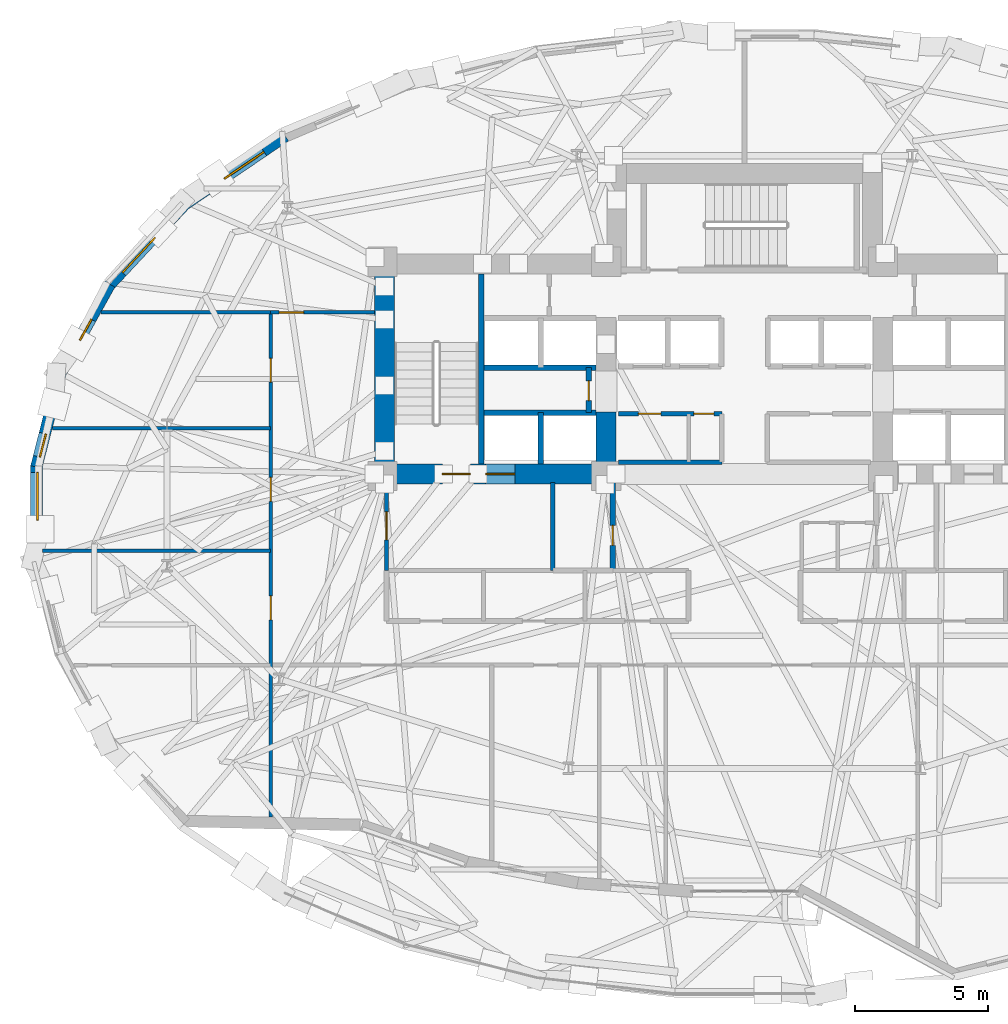
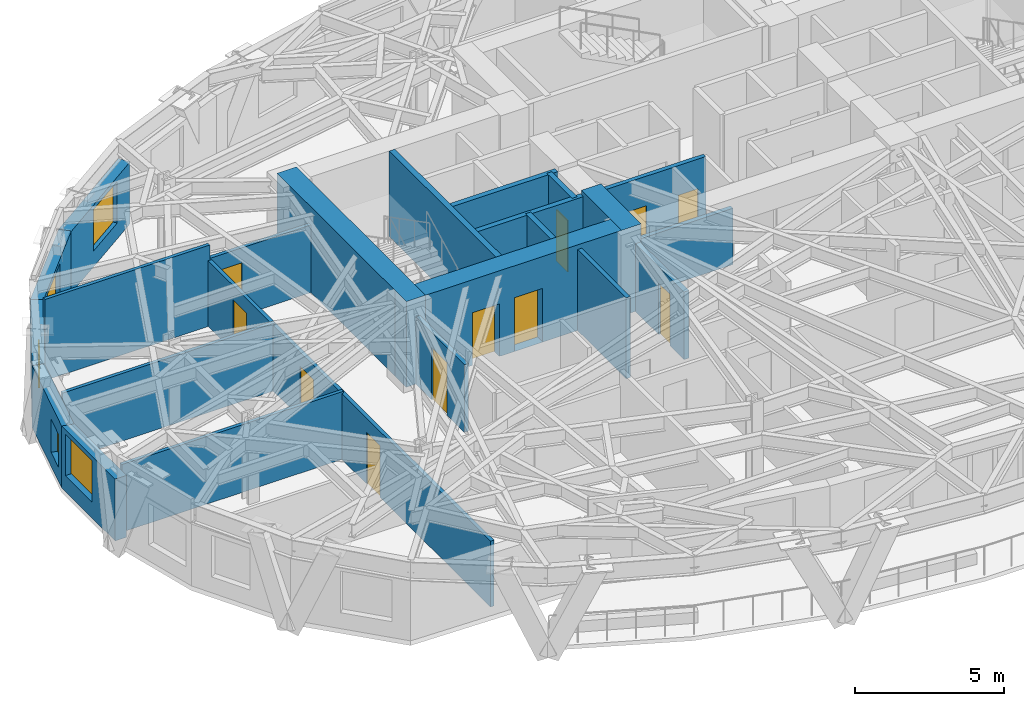
# One storey, part 8 of 15: 23 walls, 11 doors, 5 windows, 16 openings.
"""IFC4 building model written with IfcOpenShell, lengths in metres."""

from ifc_helpers import new_model, si_unit, direction, frame, frame_2d, origin, place, context, subcontext, project, spatial, rectangle, extrude, material, layer, layer_set, type_object, element, fill, save


model = new_model("IFC4")

# Units and contexts
model_context = context("Model", 3, precision=1e-05, world=origin(), true_north=direction((0.0, 1.0)))
body_context = subcontext(model_context, "Body", "Model", "MODEL_VIEW")
ifc_project = project(units=[si_unit("LENGTHUNIT", "METRE"), si_unit("AREAUNIT", "SQUARE_METRE"), si_unit("VOLUMEUNIT", "CUBIC_METRE"), si_unit("PLANEANGLEUNIT", "RADIAN"), si_unit("MASSUNIT", "GRAM", prefix="KILO")], contexts=[model_context])

# Site, building, storey
site_placement = place(None, origin())
site = spatial("IfcSite", under=ifc_project, at=site_placement, CompositionType="ELEMENT")
building_placement = place(site_placement, origin())
building = spatial("IfcBuilding", under=site, at=building_placement, Name="Keldmark Tower", CompositionType="ELEMENT")
storey_placement = place(building_placement, frame((0.0, 0.0, 114.10009765625)))
storey = spatial("IfcBuildingStorey", under=building, at=storey_placement, Name="L30", CompositionType="ELEMENT", Elevation=114.10009765625)

# Wall, openings, doors
ifc_material_1 = material(Name="Acoustic Double-Layer Gypsum Corridor Partition", Category="gypsum")
ifc_layer_1 = layer(ifc_material_1, 0.139892578125)
ifc_layer_set_1 = layer_set([ifc_layer_1], Name="Acoustic Double-Layer Gypsum Corridor Partition")
wall_type_1 = type_object("IfcWallType", Name="Acoustic Corridor Partition 140 mm", PredefinedType="PARTITIONING", material=ifc_layer_set_1)
wall_1_placement = place(storey_placement, frame((-17.800048828125, -11.408203125, 0.0), z_axis=(0.0, 0.0, 1.0), x_axis=(0.0, 1.0, 0.0)))
wall_1 = element("IfcWall", 1, at=wall_1_placement, inside=storey, type_object=wall_type_1, Name="L30 Acoustic Corridor Partition 140 mm COR-W", PredefinedType="PARTITIONING", context=body_context, shape_type="SweptSolid", body=[
    extrude(rectangle(XDim=18.958251953125, YDim=0.139892578125, at=frame_2d((9.47900390625, 0.0))), origin(), (0.0, 0.0, 1.0), 2.68798828125),
])
opening_1_placement = place(wall_1_placement, frame((7.407958984375, 0.0, 0.0)))
opening_1 = element("IfcOpeningElement", 2, at=opening_1_placement, cuts=wall_1, Name="Opening D-IN090", PredefinedType="OPENING", context=body_context, shape_type="SweptSolid", body=[
    extrude(rectangle(XDim=0.89990234375, YDim=2.10009765625, at=frame_2d((0.449951171875, 1.050048828125))), frame((0.0, 0.079833984375, 0.0), z_axis=(0.0, -1.0, 0.0), x_axis=(1.0, 0.0, 0.0)), (0.0, 0.0, 1.0), 0.159912109375),
])
opening_2_placement = place(wall_1_placement, frame((11.85791015625, 0.0, 0.0)))
opening_2 = element("IfcOpeningElement", 3, at=opening_2_placement, cuts=wall_1, Name="Opening D-IN090", PredefinedType="OPENING", context=body_context, shape_type="SweptSolid", body=[
    extrude(rectangle(XDim=0.89990234375, YDim=2.10009765625, at=frame_2d((0.449951171875, 1.050048828125))), frame((0.0, 0.079833984375, 0.0), z_axis=(0.0, -1.0, 0.0), x_axis=(1.0, 0.0, 0.0)), (0.0, 0.0, 1.0), 0.159912109375),
])
opening_3_placement = place(wall_1_placement, frame((16.3330078125, 0.0, 0.0)))
opening_3 = element("IfcOpeningElement", 4, at=opening_3_placement, cuts=wall_1, Name="Opening D-IN090", PredefinedType="OPENING", context=body_context, shape_type="SweptSolid", body=[
    extrude(rectangle(XDim=0.89990234375, YDim=2.10009765625, at=frame_2d((0.449951171875, 1.050048828125))), frame((0.0, 0.079833984375, 0.0), z_axis=(0.0, -1.0, 0.0), x_axis=(1.0, 0.0, 0.0)), (0.0, 0.0, 1.0), 0.159912109375),
])
ifc_material_2 = material(Name="Stained American White Oak Veneer", Category="wood")
door_type_1 = type_object("IfcDoorType", Name="Interior Door 900x2100", OperationType="NOTDEFINED", PredefinedType="DOOR", material=ifc_material_2)
door_1_placement = place(opening_1_placement, origin())
door_1 = element("IfcDoor", 5, at=door_1_placement, inside=storey, type_object=door_type_1, Name="L30 Interior Door 900x2100 D-WR-1-L30", OperationType="SINGLE_SWING_RIGHT", OverallHeight=2.10009765625, OverallWidth=0.89990234375, PredefinedType="DOOR", context=body_context, shape_type="SweptSolid", body=[
    extrude(rectangle(XDim=0.89990234375, YDim=2.10009765625, at=frame_2d((0.449951171875, 1.050048828125))), frame((0.0, 0.02490234375, 0.0), z_axis=(0.0, -1.0, 0.0), x_axis=(1.0, 0.0, 0.0)), (0.0, 0.0, 1.0), 0.050048828125),
])
fill(opening_1, door_1)
door_2_placement = place(opening_2_placement, origin())
door_2 = element("IfcDoor", 6, at=door_2_placement, inside=storey, type_object=door_type_1, Name="L30 Interior Door 900x2100 D-WR-2-L30", OperationType="SINGLE_SWING_RIGHT", OverallHeight=2.10009765625, OverallWidth=0.89990234375, PredefinedType="DOOR", context=body_context, shape_type="SweptSolid", body=[
    extrude(rectangle(XDim=0.89990234375, YDim=2.10009765625, at=frame_2d((0.449951171875, 1.050048828125))), frame((0.0, 0.02490234375, 0.0), z_axis=(0.0, -1.0, 0.0), x_axis=(1.0, 0.0, 0.0)), (0.0, 0.0, 1.0), 0.050048828125),
])
fill(opening_2, door_2)
door_3_placement = place(opening_3_placement, origin())
door_3 = element("IfcDoor", 7, at=door_3_placement, inside=storey, type_object=door_type_1, Name="L30 Interior Door 900x2100 D-WR-3-L30", OperationType="SINGLE_SWING_LEFT", OverallHeight=2.10009765625, OverallWidth=0.89990234375, PredefinedType="DOOR", context=body_context, shape_type="SweptSolid", body=[
    extrude(rectangle(XDim=0.89990234375, YDim=2.10009765625, at=frame_2d((0.449951171875, 1.050048828125))), frame((0.0, 0.02490234375, 0.0), z_axis=(0.0, -1.0, 0.0), x_axis=(1.0, 0.0, 0.0)), (0.0, 0.0, 1.0), 0.050048828125),
])
fill(opening_3, door_3)

# Wall, opening, door
wall_2_placement = place(storey_placement, frame((-17.800048828125, 7.550048828125, 0.0), z_axis=(0.0, 0.0, 1.0), x_axis=(1.0, 0.0, 0.0)))
wall_2 = element("IfcWall", 8, at=wall_2_placement, inside=storey, type_object=wall_type_1, Name="L30 Acoustic Corridor Partition 140 mm COR-WN-CAP", PredefinedType="PARTITIONING", context=body_context, shape_type="SweptSolid", body=[
    extrude(rectangle(XDim=3.900146484375, YDim=0.139892578125, at=frame_2d((1.9501953125, 0.0))), origin(), (0.0, 0.0, 1.0), 2.762939453125),
])
opening_4_placement = place(wall_2_placement, frame((0.320068359375, 0.0, 0.0)))
opening_4 = element("IfcOpeningElement", 9, at=opening_4_placement, cuts=wall_2, Name="Opening D-EX092", PredefinedType="OPENING", context=body_context, shape_type="SweptSolid", body=[
    extrude(rectangle(XDim=0.919921875, YDim=2.14990234375, at=frame_2d((0.4599609375, 1.074951171875))), frame((0.0, 0.079833984375, 0.0), z_axis=(0.0, -1.0, 0.0), x_axis=(1.0, 0.0, 0.0)), (0.0, 0.0, 1.0), 0.159912109375),
])
ifc_material_3 = material(Name="Flush American Ash Executive Office Door", Category="wood")
door_type_2 = type_object("IfcDoorType", Name="Executive Office Door 920x2150", OperationType="NOTDEFINED", PredefinedType="DOOR", material=ifc_material_3)
door_4_placement = place(opening_4_placement, origin())
door_4 = element("IfcDoor", 10, at=door_4_placement, inside=storey, type_object=door_type_2, Name="L30 Executive Office Door 920x2150 D-NRNW-L30", OperationType="SINGLE_SWING_LEFT", OverallHeight=2.14990234375, OverallWidth=0.919921875, PredefinedType="DOOR", context=body_context, shape_type="SweptSolid", body=[
    extrude(rectangle(XDim=0.919921875, YDim=2.14990234375, at=frame_2d((0.4599609375, 1.074951171875))), frame((0.0, 0.02490234375, 0.0), z_axis=(0.0, -1.0, 0.0), x_axis=(1.0, 0.0, 0.0)), (0.0, 0.0, 1.0), 0.050048828125),
])
fill(opening_4, door_4)

# Walls
ifc_material_4 = material(Name="Acoustic Gypsum Board Interior Partition", Category="gypsum")
ifc_layer_2 = layer(ifc_material_4, 0.1298828125)
ifc_layer_set_2 = layer_set([ifc_layer_2], Name="Acoustic Gypsum Board Interior Partition")
wall_type_2 = type_object("IfcWallType", Name="Interior Partition 130 mm", PredefinedType="PARTITIONING", material=ifc_layer_set_2)
wall_3_placement = place(storey_placement, frame((-24.169189453125, 7.550048828125, 0.0), z_axis=(0.0, 0.0, 1.0), x_axis=(1.0, 0.0, 0.0)))
element("IfcWall", 11, at=wall_3_placement, inside=storey, type_object=wall_type_2, Name="L30 Interior Partition 130 mm W-CAP-N", PredefinedType="PARTITIONING", context=body_context, shape_type="SweptSolid", body=[
    extrude(rectangle(XDim=6.369140625, YDim=0.1298828125, at=frame_2d((3.1845703125, 0.0))), origin(), (0.0, 0.0, 1.0), 3.309814453125),
])
wall_4_placement = place(storey_placement, frame((-26.372314453125, -1.39990234375, 0.0), z_axis=(0.0, 0.0, 1.0), x_axis=(1.0, 0.0, 0.0)))
element("IfcWall", 12, at=wall_4_placement, inside=storey, type_object=wall_type_2, Name="L30 Interior Partition 130 mm W-DIV-1", PredefinedType="PARTITIONING", context=body_context, shape_type="SweptSolid", body=[
    extrude(rectangle(XDim=8.572265625, YDim=0.1298828125, at=frame_2d((4.2861328125, 0.0))), origin(), (0.0, 0.0, 1.0), 2.762939453125),
])
wall_5_placement = place(storey_placement, frame((-25.99853515625, 3.199951171875, 0.0), z_axis=(0.0, 0.0, 1.0), x_axis=(1.0, 0.0, 0.0)))
element("IfcWall", 13, at=wall_5_placement, inside=storey, type_object=wall_type_2, Name="L30 Interior Partition 130 mm W-DIV-2", PredefinedType="PARTITIONING", context=body_context, shape_type="SweptSolid", body=[
    extrude(rectangle(XDim=8.198486328125, YDim=0.1298828125, at=frame_2d((4.09912109375, 0.0))), origin(), (0.0, 0.0, 1.0), 2.762939453125),
])
ifc_material_5 = material(Name="Concrete C70/85", Category="concrete")
ifc_layer_3 = layer(ifc_material_5, 0.75)
ifc_layer_set_3 = layer_set([ifc_layer_3], Name="Concrete C70/85")
wall_type_3 = type_object("IfcWallType", Name="Low-Mid Core Shear Wall 750 mm", PredefinedType="SHEAR", material=ifc_layer_set_3)
wall_6_placement = place(storey_placement, frame((-13.52490234375, 1.10009765625, 0.0), z_axis=(0.0, 0.0, 1.0), x_axis=(0.0, 1.0, 0.0)))
element("IfcWall", 14, at=wall_6_placement, inside=storey, type_object=wall_type_3, Name="L30 West Core Outer Shear Wall", PredefinedType="SHEAR", context=body_context, shape_type="SweptSolid", body=[
    extrude(rectangle(XDim=8.64990234375, YDim=0.75, at=frame_2d((4.324951171875, 0.0))), origin(), (0.0, 0.0, 1.0), 3.5),
])

# Wall, openings, doors
wall_7_placement = place(storey_placement, frame((-4.824951171875, 1.47509765625, 0.0), z_axis=(0.0, 0.0, 1.0), x_axis=(-1.0, 0.0, 0.0)))
wall_7 = element("IfcWall", 15, at=wall_7_placement, inside=storey, type_object=wall_type_3, Name="L30 West Core South Shear Wall", PredefinedType="SHEAR", context=body_context, shape_type="SweptSolid", body=[
    extrude(rectangle(XDim=9.074951171875, YDim=0.75, at=frame_2d((4.53759765625, 0.0))), origin(), (0.0, 0.0, 1.0), 3.5),
])
opening_5_placement = place(wall_7_placement, frame((5.47509765625, 0.0, 0.0)))
opening_5 = element("IfcOpeningElement", 16, at=opening_5_placement, cuts=wall_7, Name="Opening D-ST105", PredefinedType="OPENING", context=body_context, shape_type="SweptSolid", body=[
    extrude(rectangle(XDim=1.050048828125, YDim=2.14990234375, at=frame_2d((0.52490234375, 1.074951171875))), frame((0.0, 0.385009765625, 0.0), z_axis=(0.0, -1.0, 0.0), x_axis=(1.0, 0.0, 0.0)), (0.0, 0.0, 1.0), 0.77001953125),
])
opening_6_placement = place(wall_7_placement, frame((3.804931640625, 0.0, 0.0)))
opening_6 = element("IfcOpeningElement", 17, at=opening_6_placement, cuts=wall_7, Name="Opening LD-110", PredefinedType="OPENING", context=body_context, shape_type="SweptSolid", body=[
    extrude(rectangle(XDim=1.10009765625, YDim=2.199951171875, at=frame_2d((0.550048828125, 1.10009765625))), frame((0.0, 0.385009765625, 0.0), z_axis=(0.0, -1.0, 0.0), x_axis=(1.0, 0.0, 0.0)), (0.0, 0.0, 1.0), 0.77001953125),
])
ifc_material_6 = material(Name="Brushed Bronze Hoistway Sliding Leaf", Category="metal")
door_type_3 = type_object("IfcDoorType", Name="Lift Landing Sliding Door 1100x2200", OperationType="SLIDING_TO_LEFT", PredefinedType="DOOR", material=ifc_material_6)
door_5_placement = place(opening_6_placement, origin())
door_5 = element("IfcDoor", 18, at=door_5_placement, inside=storey, type_object=door_type_3, Name="L30 Lift Landing Sliding Door 1100x2200 LD-EL-FS1-L30", OperationType="SLIDING_TO_LEFT", OverallHeight=2.199951171875, OverallWidth=1.10009765625, PredefinedType="DOOR", context=body_context, shape_type="SweptSolid", body=[
    extrude(rectangle(XDim=1.10009765625, YDim=2.199951171875, at=frame_2d((0.550048828125, 1.10009765625))), frame((0.0, 0.02490234375, 0.0), z_axis=(0.0, -1.0, 0.0), x_axis=(1.0, 0.0, 0.0)), (0.0, 0.0, 1.0), 0.050048828125),
])
fill(opening_6, door_5)
ifc_material_7 = material(Name="Hollow Metal Fire-Rated Door Assembly", Category="metal")
door_type_4 = type_object("IfcDoorType", Name="Stair Fire Door 1050x2150", OperationType="NOTDEFINED", PredefinedType="DOOR", material=ifc_material_7)
door_6_placement = place(opening_5_placement, origin())
door_6 = element("IfcDoor", 19, at=door_6_placement, inside=storey, type_object=door_type_4, Name="L30 Stair Fire Door 1050x2150 D-ST1-L30", OperationType="SINGLE_SWING_RIGHT", OverallHeight=2.14990234375, OverallWidth=1.050048828125, PredefinedType="DOOR", context=body_context, shape_type="SweptSolid", body=[
    extrude(rectangle(XDim=1.050048828125, YDim=2.14990234375, at=frame_2d((0.52490234375, 1.074951171875))), frame((0.0, 0.02490234375, 0.0), z_axis=(0.0, -1.0, 0.0), x_axis=(1.0, 0.0, 0.0)), (0.0, 0.0, 1.0), 0.050048828125),
])
fill(opening_5, door_6)

# Wall
wall_8_placement = place(storey_placement, frame((-5.199951171875, 1.10009765625, 0.0), z_axis=(0.0, 0.0, 1.0), x_axis=(0.0, 1.0, 0.0)))
element("IfcWall", 20, at=wall_8_placement, inside=storey, type_object=wall_type_3, Name="L30 West Core Inner Shear Pier South", PredefinedType="SHEAR", context=body_context, shape_type="SweptSolid", body=[
    extrude(rectangle(XDim=2.699951171875, YDim=0.75, at=frame_2d((1.35009765625, 0.0))), origin(), (0.0, 0.0, 1.0), 3.5),
])

# Wall, opening, door
ifc_material_8 = material(Name="Type X Fire-Rated Gypsum Partition Assembly", Category="gypsum")
ifc_layer_4 = layer(ifc_material_8, 0.1650390625)
ifc_layer_set_4 = layer_set([ifc_layer_4], Name="Type X Fire-Rated Gypsum Partition Assembly")
wall_type_4 = type_object("IfcWallType", Name="Rated Partition 165 mm", PredefinedType="PARTITIONING", material=ifc_layer_set_4)
wall_9_placement = place(storey_placement, frame((-13.449951171875, -2.14990234375, 0.0), z_axis=(0.0, 0.0, 1.0), x_axis=(0.0, 1.0, 0.0)))
wall_9 = element("IfcWall", 21, at=wall_9_placement, inside=storey, type_object=wall_type_4, Name="L30 Rated Partition 165 mm FSAE-W-W", PredefinedType="PARTITIONING", context=body_context, shape_type="SweptSolid", body=[
    extrude(rectangle(XDim=3.2998046875, YDim=0.1650390625, at=frame_2d((1.64990234375, 0.0))), origin(), (0.0, 0.0, 1.0), 2.762939453125),
])
opening_7_placement = place(wall_9_placement, frame((1.14990234375, 0.0, 0.0)))
opening_7 = element("IfcOpeningElement", 22, at=opening_7_placement, cuts=wall_9, Name="Opening D-FL105", PredefinedType="OPENING", context=body_context, shape_type="SweptSolid", body=[
    extrude(rectangle(XDim=1.050048828125, YDim=2.14990234375, at=frame_2d((0.52490234375, 1.074951171875))), frame((0.0, 0.092529296875, 0.0), z_axis=(0.0, -1.0, 0.0), x_axis=(1.0, 0.0, 0.0)), (0.0, 0.0, 1.0), 0.18505859375),
])
ifc_material_9 = material(Name="Fire-Rated Mineral-Core Door and Vision Lite", Category="metal")
door_type_5 = type_object("IfcDoorType", Name="Fire Lobby Door 1050x2150", OperationType="NOTDEFINED", PredefinedType="DOOR", material=ifc_material_9)
door_7_placement = place(opening_7_placement, origin())
door_7 = element("IfcDoor", 23, at=door_7_placement, inside=storey, type_object=door_type_5, Name="L30 Fire Lobby Door 1050x2150 D-FSAEW-OUT-L30", OperationType="SINGLE_SWING_LEFT", OverallHeight=2.14990234375, OverallWidth=1.050048828125, PredefinedType="DOOR", context=body_context, shape_type="SweptSolid", body=[
    extrude(rectangle(XDim=1.050048828125, YDim=2.14990234375, at=frame_2d((0.52490234375, 1.074951171875))), frame((0.0, 0.02490234375, 0.0), z_axis=(0.0, -1.0, 0.0), x_axis=(1.0, 0.0, 0.0)), (0.0, 0.0, 1.0), 0.050048828125),
])
fill(opening_7, door_7)

# Walls
wall_10_placement = place(storey_placement, frame((-7.199951171875, -2.14990234375, 0.0), z_axis=(0.0, 0.0, 1.0), x_axis=(0.0, 1.0, 0.0)))
element("IfcWall", 24, at=wall_10_placement, inside=storey, type_object=wall_type_4, Name="L30 Rated Partition 165 mm FSAE-W-E", PredefinedType="PARTITIONING", context=body_context, shape_type="SweptSolid", body=[
    extrude(rectangle(XDim=3.2998046875, YDim=0.1650390625, at=frame_2d((1.64990234375, 0.0))), origin(), (0.0, 0.0, 1.0), 3.309814453125),
])
wall_11_placement = place(storey_placement, frame((-4.739990234375, 1.919921875, 0.0), z_axis=(0.0, 0.0, 1.0), x_axis=(1.0, 0.0, 0.0)))
element("IfcWall", 25, at=wall_11_placement, inside=storey, type_object=wall_type_4, Name="L30 Rated Partition 165 mm REC-LW-S", PredefinedType="PARTITIONING", context=body_context, shape_type="SweptSolid", body=[
    extrude(rectangle(XDim=3.889892578125, YDim=0.1650390625, at=frame_2d((1.94482421875, 0.0))), origin(), (0.0, 0.0, 1.0), 2.2998046875),
])

# Wall, openings, doors
wall_12_placement = place(storey_placement, frame((-4.739990234375, 3.739990234375, 0.0), z_axis=(0.0, 0.0, 1.0), x_axis=(1.0, 0.0, 0.0)))
wall_12 = element("IfcWall", 26, at=wall_12_placement, inside=storey, type_object=wall_type_4, Name="L30 Rated Partition 165 mm REC-LW-N", PredefinedType="PARTITIONING", context=body_context, shape_type="SweptSolid", body=[
    extrude(rectangle(XDim=3.889892578125, YDim=0.1650390625, at=frame_2d((1.94482421875, 0.0))), origin(), (0.0, 0.0, 1.0), 3.309814453125),
])
opening_8_placement = place(wall_12_placement, frame((0.75, 0.0, 0.0)))
opening_8 = element("IfcOpeningElement", 27, at=opening_8_placement, cuts=wall_12, Name="Opening D-SV085", PredefinedType="OPENING", context=body_context, shape_type="SweptSolid", body=[
    extrude(rectangle(XDim=0.85009765625, YDim=2.10009765625, at=frame_2d((0.425048828125, 1.050048828125))), frame((0.0, 0.092529296875, 0.0), z_axis=(0.0, -1.0, 0.0), x_axis=(1.0, 0.0, 0.0)), (0.0, 0.0, 1.0), 0.18505859375),
])
opening_9_placement = place(wall_12_placement, frame((2.840087890625, 0.0, 0.0)))
opening_9 = element("IfcOpeningElement", 28, at=opening_9_placement, cuts=wall_12, Name="Opening D-RS075", PredefinedType="OPENING", context=body_context, shape_type="SweptSolid", body=[
    extrude(rectangle(XDim=0.75, YDim=2.10009765625, at=frame_2d((0.375, 1.050048828125))), frame((0.0, 0.092529296875, 0.0), z_axis=(0.0, -1.0, 0.0), x_axis=(1.0, 0.0, 0.0)), (0.0, 0.0, 1.0), 0.18505859375),
])
ifc_material_10 = material(Name="Galvanized Fire-Rated Access Leaf", Category="metal")
door_type_6 = type_object("IfcDoorType", Name="Riser Access Door 750x2100", OperationType="NOTDEFINED", PredefinedType="DOOR", material=ifc_material_10)
door_8_placement = place(opening_9_placement, origin())
door_8 = element("IfcDoor", 29, at=door_8_placement, inside=storey, type_object=door_type_6, Name="L30 Riser Access Door 750x2100 D-RECLW2-L30", OperationType="SINGLE_SWING_RIGHT", OverallHeight=2.10009765625, OverallWidth=0.75, PredefinedType="DOOR", context=body_context, shape_type="SweptSolid", body=[
    extrude(rectangle(XDim=0.75, YDim=2.10009765625, at=frame_2d((0.375, 1.050048828125))), frame((0.0, 0.02490234375, 0.0), z_axis=(0.0, -1.0, 0.0), x_axis=(1.0, 0.0, 0.0)), (0.0, 0.0, 1.0), 0.050048828125),
])
fill(opening_9, door_8)
ifc_material_11 = material(Name="Painted Hollow Metal Door Assembly", Category="metal")
door_type_7 = type_object("IfcDoorType", Name="Service Door 850x2100", OperationType="NOTDEFINED", PredefinedType="DOOR", material=ifc_material_11)
door_9_placement = place(opening_8_placement, origin())
door_9 = element("IfcDoor", 30, at=door_9_placement, inside=storey, type_object=door_type_7, Name="L30 Service Door 850x2100 D-RECLW1-L30", OperationType="SINGLE_SWING_LEFT", OverallHeight=2.10009765625, OverallWidth=0.85009765625, PredefinedType="DOOR", context=body_context, shape_type="SweptSolid", body=[
    extrude(rectangle(XDim=0.85009765625, YDim=2.10009765625, at=frame_2d((0.425048828125, 1.050048828125))), frame((0.0, 0.02490234375, 0.0), z_axis=(0.0, -1.0, 0.0), x_axis=(1.0, 0.0, 0.0)), (0.0, 0.0, 1.0), 0.050048828125),
])
fill(opening_8, door_9)

# Wall, opening, door
ifc_material_12 = material(Name="Fire-Resistant Type X Gypsum Shaftliner Coreboard", Category="gypsum")
ifc_layer_5 = layer(ifc_material_12, 0.199951171875)
ifc_layer_set_5 = layer_set([ifc_layer_5], Name="Fire-Resistant Type X Gypsum Shaftliner Coreboard")
wall_type_5 = type_object("IfcWallType", Name="Shaft Wall 200 mm", PredefinedType="SOLIDWALL", material=ifc_layer_set_5)
wall_13_placement = place(storey_placement, frame((-4.949951171875, -2.14990234375, 0.0), z_axis=(0.0, 0.0, 1.0), x_axis=(0.0, 1.0, 0.0)))
wall_13 = element("IfcWall", 31, at=wall_13_placement, inside=storey, type_object=wall_type_5, Name="L30 Shaft Wall 200 mm RIS-SW-E", PredefinedType="SOLIDWALL", context=body_context, shape_type="SweptSolid", body=[
    extrude(rectangle(XDim=3.2998046875, YDim=0.199951171875, at=frame_2d((1.64990234375, 0.0))), origin(), (0.0, 0.0, 1.0), 2.762939453125),
])
opening_10_placement = place(wall_13_placement, frame((0.949951171875, 0.0, 0.0)))
opening_10 = element("IfcOpeningElement", 32, at=opening_10_placement, cuts=wall_13, Name="Opening D-RS075", PredefinedType="OPENING", context=body_context, shape_type="SweptSolid", body=[
    extrude(rectangle(XDim=0.75, YDim=2.10009765625, at=frame_2d((0.375, 1.050048828125))), frame((0.0, 0.10986328125, 0.0), z_axis=(0.0, -1.0, 0.0), x_axis=(1.0, 0.0, 0.0)), (0.0, 0.0, 1.0), 0.219970703125),
])
door_10_placement = place(opening_10_placement, origin())
door_10 = element("IfcDoor", 33, at=door_10_placement, inside=storey, type_object=door_type_6, Name="L30 Riser Access Door 750x2100 D-RISSW-L30", OperationType="SINGLE_SWING_RIGHT", OverallHeight=2.10009765625, OverallWidth=0.75, PredefinedType="DOOR", context=body_context, shape_type="SweptSolid", body=[
    extrude(rectangle(XDim=0.75, YDim=2.10009765625, at=frame_2d((0.375, 1.050048828125))), frame((0.0, 0.02490234375, 0.0), z_axis=(0.0, -1.0, 0.0), x_axis=(1.0, 0.0, 0.0)), (0.0, 0.0, 1.0), 0.050048828125),
])
fill(opening_10, door_10)

# Walls
wall_14_placement = place(storey_placement, frame((-9.780029296875, 3.780029296875, 0.0), z_axis=(0.0, 0.0, 1.0), x_axis=(1.0, 0.0, 0.0)))
element("IfcWall", 34, at=wall_14_placement, inside=storey, type_object=wall_type_5, Name="L30 Shaft Wall 200 mm HW-W-S", PredefinedType="SOLIDWALL", context=body_context, shape_type="SweptSolid", body=[
    extrude(rectangle(XDim=4.205078125, YDim=0.199951171875, at=frame_2d((2.1025390625, 0.0))), origin(), (0.0, 0.0, 1.0), 3.309814453125),
])
wall_15_placement = place(storey_placement, frame((-7.64990234375, 1.85009765625, 0.0), z_axis=(0.0, 0.0, 1.0), x_axis=(0.0, 1.0, 0.0)))
element("IfcWall", 35, at=wall_15_placement, inside=storey, type_object=wall_type_5, Name="L30 Shaft Wall 200 mm HW-W-M", PredefinedType="SOLIDWALL", context=body_context, shape_type="SweptSolid", body=[
    extrude(rectangle(XDim=1.929931640625, YDim=0.199951171875, at=frame_2d((0.96484375, 0.0))), origin(), (0.0, 0.0, 1.0), 3.309814453125),
])
wall_16_placement = place(storey_placement, frame((-9.780029296875, 5.469970703125, 0.0), z_axis=(0.0, 0.0, 1.0), x_axis=(1.0, 0.0, 0.0)))
element("IfcWall", 36, at=wall_16_placement, inside=storey, type_object=wall_type_5, Name="L30 Shaft Wall 200 mm HW-W-N", PredefinedType="SOLIDWALL", context=body_context, shape_type="SweptSolid", body=[
    extrude(rectangle(XDim=4.205078125, YDim=0.199951171875, at=frame_2d((2.1025390625, 0.0))), origin(), (0.0, 0.0, 1.0), 3.309814453125),
])

# Wall, opening, door
wall_17_placement = place(storey_placement, frame((-5.85009765625, 3.780029296875, 0.0), z_axis=(0.0, 0.0, 1.0), x_axis=(0.0, 1.0, 0.0)))
wall_17 = element("IfcWall", 37, at=wall_17_placement, inside=storey, type_object=wall_type_5, Name="L30 Shaft Wall 200 mm HW-W-CLOSE", PredefinedType="SOLIDWALL", context=body_context, shape_type="SweptSolid", body=[
    extrude(rectangle(XDim=1.68994140625, YDim=0.199951171875, at=frame_2d((0.844970703125, 0.0))), origin(), (0.0, 0.0, 1.0), 3.309814453125),
])
opening_11_placement = place(wall_17_placement, frame((0.449951171875, 0.0, 0.0)))
opening_11 = element("IfcOpeningElement", 38, at=opening_11_placement, cuts=wall_17, Name="Opening D-RS075", PredefinedType="OPENING", context=body_context, shape_type="SweptSolid", body=[
    extrude(rectangle(XDim=0.75, YDim=2.10009765625, at=frame_2d((0.375, 1.050048828125))), frame((0.0, 0.10986328125, 0.0), z_axis=(0.0, -1.0, 0.0), x_axis=(1.0, 0.0, 0.0)), (0.0, 0.0, 1.0), 0.219970703125),
])
door_11_placement = place(opening_11_placement, origin())
door_11 = element("IfcDoor", 39, at=door_11_placement, inside=storey, type_object=door_type_6, Name="L30 Riser Access Door 750x2100 D-RISHW-L30", OperationType="SINGLE_SWING_RIGHT", OverallHeight=2.10009765625, OverallWidth=0.75, PredefinedType="DOOR", context=body_context, shape_type="SweptSolid", body=[
    extrude(rectangle(XDim=0.75, YDim=2.10009765625, at=frame_2d((0.375, 1.050048828125))), frame((0.0, 0.02490234375, 0.0), z_axis=(0.0, -1.0, 0.0), x_axis=(1.0, 0.0, 0.0)), (0.0, 0.0, 1.0), 0.050048828125),
])
fill(opening_11, door_11)

# Wall
ifc_material_13 = material(Name="Concrete C50/60", Category="concrete")
ifc_layer_6 = layer(ifc_material_13, 0.219970703125)
ifc_layer_set_6 = layer_set([ifc_layer_6], Name="Concrete C50/60")
wall_type_6 = type_object("IfcWallType", Name="Stair Core Shear Wall 220 mm", PredefinedType="SHEAR", material=ifc_layer_set_6)
wall_18_placement = place(storey_placement, frame((-9.889892578125, 1.85009765625, 0.0), z_axis=(0.0, 0.0, 1.0), x_axis=(0.0, 1.0, 0.0)))
element("IfcWall", 40, at=wall_18_placement, inside=storey, type_object=wall_type_6, Name="L30 West Stair Core Shear Wall", PredefinedType="SHEAR", context=body_context, shape_type="SweptSolid", body=[
    extrude(rectangle(XDim=7.14990234375, YDim=0.219970703125, at=frame_2d((3.574951171875, 0.0))), origin(), (0.0, 0.0, 1.0), 3.5),
])

# Wall, opening, window
ifc_material_14 = material(Name="Ironspot Manganese Brick and Kasota Buff Limestone Spandrel Assembly", Category="masonry")
ifc_layer_7 = layer(ifc_material_14, 0.43994140625)
ifc_layer_set_7 = layer_set([ifc_layer_7], Name="Ironspot Manganese Brick and Kasota Buff Limestone Spandrel Assembly")
wall_type_7 = type_object("IfcWallType", Name="Tower Brick Pier and Spandrel Wall 440 mm", PredefinedType="STANDARD", material=ifc_layer_set_7)
wall_19_placement = place(storey_placement, frame((-21.0478515625, 11.59716796875, 0.0), z_axis=(0.0, 0.0, 1.0), x_axis=(0.827717717125, 0.561144705719, 0.0)))
wall_19 = element("IfcWall", 41, at=wall_19_placement, inside=storey, type_object=wall_type_7, Name="L30 Exterior Brick and Spandrel Wall 12", PredefinedType="STANDARD", context=body_context, shape_type="SweptSolid", body=[
    extrude(rectangle(XDim=4.586669921875, YDim=0.43994140625, at=frame_2d((2.29345703125, 0.0))), origin(), (0.0, 0.0, 1.0), 2.52783203125),
])
opening_12_placement = place(wall_19_placement, frame((1.791015625, 0.0, 0.64990234375)))
opening_12 = element("IfcOpeningElement", 42, at=opening_12_placement, cuts=wall_19, Name="Opening W-02", PredefinedType="OPENING", context=body_context, shape_type="SweptSolid", body=[
    extrude(rectangle(XDim=1.800048828125, YDim=1.699951171875, at=frame_2d((0.89990234375, 0.85009765625))), frame((0.0, 0.22998046875, 0.0), z_axis=(0.0, -1.0, 0.0), x_axis=(1.0, 0.0, 0.0)), (0.0, 0.0, 1.0), 0.4599609375),
])
ifc_material_15 = material(Name="Thermally Broken Anodized Aluminum and Triple Low-E Argon Glazing", Category="aluminium")
window_type_1 = type_object("IfcWindowType", Name="Office Deep-Set Triple Window 1800x1700", PartitioningType="TRIPLE_PANEL_VERTICAL", PredefinedType="WINDOW", material=ifc_material_15)
window_1_placement = place(opening_12_placement, origin())
window_1 = element("IfcWindow", 43, at=window_1_placement, inside=storey, type_object=window_type_1, Name="L30 Deep-Set Window 12", OverallHeight=1.699951171875, OverallWidth=1.800048828125, PartitioningType="SINGLE_PANEL", PredefinedType="WINDOW", context=body_context, shape_type="SweptSolid", body=[
    extrude(rectangle(XDim=1.800048828125, YDim=1.699951171875, at=frame_2d((0.89990234375, 0.85009765625))), frame((0.0, -0.010009765625, 0.0), z_axis=(0.0, -1.0, 0.0), x_axis=(1.0, 0.0, 0.0)), (0.0, 0.0, 1.0), 0.06005859375),
])
fill(opening_12, window_1)

wall_20_placement = place(storey_placement, frame((-23.87548828125, 8.559814453125, 0.0), z_axis=(0.0, 0.0, 1.0), x_axis=(0.682353469166, 0.73102239577, 0.0)))
wall_20 = element("IfcWall", 44, at=wall_20_placement, inside=storey, type_object=wall_type_7, Name="L30 Exterior Brick and Spandrel Wall 13", PredefinedType="STANDARD", context=body_context, shape_type="SweptSolid", body=[
    extrude(rectangle(XDim=4.19873046875, YDim=0.43994140625, at=frame_2d((2.099365234375, 0.0))), origin(), (0.0, 0.0, 1.0), 2.52783203125),
])
opening_13_placement = place(wall_20_placement, frame((0.69970703125, 0.0, 0.64990234375)))
opening_13 = element("IfcOpeningElement", 45, at=opening_13_placement, cuts=wall_20, Name="Opening W-02", PredefinedType="OPENING", context=body_context, shape_type="SweptSolid", body=[
    extrude(rectangle(XDim=1.800048828125, YDim=1.699951171875, at=frame_2d((0.89990234375, 0.85009765625))), frame((0.0, 0.22998046875, 0.0), z_axis=(0.0, -1.0, 0.0), x_axis=(1.0, 0.0, 0.0)), (0.0, 0.0, 1.0), 0.4599609375),
])
window_2_placement = place(opening_13_placement, origin())
window_2 = element("IfcWindow", 46, at=window_2_placement, inside=storey, type_object=window_type_1, Name="L30 Deep-Set Window 13", OverallHeight=1.699951171875, OverallWidth=1.800048828125, PartitioningType="SINGLE_PANEL", PredefinedType="WINDOW", context=body_context, shape_type="SweptSolid", body=[
    extrude(rectangle(XDim=1.800048828125, YDim=1.699951171875, at=frame_2d((0.89990234375, 0.85009765625))), frame((0.0, -0.010009765625, 0.0), z_axis=(0.0, -1.0, 0.0), x_axis=(1.0, 0.0, 0.0)), (0.0, 0.0, 1.0), 0.06005859375),
])
fill(opening_13, window_2)

wall_21_placement = place(storey_placement, frame((-25.725341796875, 5.222900390625, 0.0), z_axis=(0.0, 0.0, 1.0), x_axis=(0.486285838125, 0.873799796086, 0.0)))
wall_21 = element("IfcWall", 47, at=wall_21_placement, inside=storey, type_object=wall_type_7, Name="L30 Exterior Brick and Spandrel Wall 14", PredefinedType="STANDARD", context=body_context, shape_type="SweptSolid", body=[
    extrude(rectangle(XDim=3.868408203125, YDim=0.43994140625, at=frame_2d((1.93408203125, 0.0))), origin(), (0.0, 0.0, 1.0), 2.52783203125),
])
opening_14_placement = place(wall_21_placement, frame((1.484130859375, 0.0, 0.580078125)))
opening_14 = element("IfcOpeningElement", 48, at=opening_14_placement, cuts=wall_21, Name="Opening W-09", PredefinedType="OPENING", context=body_context, shape_type="SweptSolid", body=[
    extrude(rectangle(XDim=0.89990234375, YDim=1.35009765625, at=frame_2d((0.449951171875, 0.675048828125))), frame((0.0, 0.22998046875, 0.0), z_axis=(0.0, -1.0, 0.0), x_axis=(1.0, 0.0, 0.0)), (0.0, 0.0, 1.0), 0.4599609375),
])
ifc_material_16 = material(Name="Thermally Broken Anodized Aluminum and Triple Low-E Argon Glazing", Category="aluminium")
window_type_2 = type_object("IfcWindowType", Name="Corner Pier Deep-Set Window 900x1350", PartitioningType="SINGLE_PANEL", PredefinedType="WINDOW", material=ifc_material_16)
window_3_placement = place(opening_14_placement, origin())
window_3 = element("IfcWindow", 49, at=window_3_placement, inside=storey, type_object=window_type_2, Name="L30 Deep-Set Window 14", OverallHeight=1.35009765625, OverallWidth=0.89990234375, PartitioningType="SINGLE_PANEL", PredefinedType="WINDOW", context=body_context, shape_type="SweptSolid", body=[
    extrude(rectangle(XDim=0.89990234375, YDim=1.35009765625, at=frame_2d((0.449951171875, 0.675048828125))), frame((0.0, -0.010009765625, 0.0), z_axis=(0.0, -1.0, 0.0), x_axis=(1.0, 0.0, 0.0)), (0.0, 0.0, 1.0), 0.06005859375),
])
fill(opening_14, window_3)

wall_22_placement = place(storey_placement, frame((-26.607177734375, 1.736328125, 0.0), z_axis=(0.0, 0.0, 1.0), x_axis=(0.247172296022, 0.968971545547, 0.0)))
wall_22 = element("IfcWall", 50, at=wall_22_placement, inside=storey, type_object=wall_type_7, Name="L30 Exterior Brick and Spandrel Wall 15", PredefinedType="STANDARD", context=body_context, shape_type="SweptSolid", body=[
    extrude(rectangle(XDim=3.652587890625, YDim=0.43994140625, at=frame_2d((1.826171875, 0.0))), origin(), (0.0, 0.0, 1.0), 2.52783203125),
])
opening_15_placement = place(wall_22_placement, frame((0.39599609375, 0.0, 0.580078125)))
opening_15 = element("IfcOpeningElement", 51, at=opening_15_placement, cuts=wall_22, Name="Opening W-09", PredefinedType="OPENING", context=body_context, shape_type="SweptSolid", body=[
    extrude(rectangle(XDim=0.89990234375, YDim=1.35009765625, at=frame_2d((0.449951171875, 0.675048828125))), frame((0.0, 0.22998046875, 0.0), z_axis=(0.0, -1.0, 0.0), x_axis=(1.0, 0.0, 0.0)), (0.0, 0.0, 1.0), 0.4599609375),
])
window_4_placement = place(opening_15_placement, origin())
window_4 = element("IfcWindow", 52, at=window_4_placement, inside=storey, type_object=window_type_2, Name="L30 Deep-Set Window 15", OverallHeight=1.35009765625, OverallWidth=0.89990234375, PartitioningType="SINGLE_PANEL", PredefinedType="WINDOW", context=body_context, shape_type="SweptSolid", body=[
    extrude(rectangle(XDim=0.89990234375, YDim=1.35009765625, at=frame_2d((0.449951171875, 0.675048828125))), frame((0.0, -0.010009765625, 0.0), z_axis=(0.0, -1.0, 0.0), x_axis=(1.0, 0.0, 0.0)), (0.0, 0.0, 1.0), 0.06005859375),
])
fill(opening_15, window_4)

wall_23_placement = place(storey_placement, frame((-26.600341796875, -1.790771484375, 0.0), z_axis=(0.0, 0.0, 1.0), x_axis=(0.0, 1.0, 0.0)))
wall_23 = element("IfcWall", 53, at=wall_23_placement, inside=storey, type_object=wall_type_7, Name="L30 Exterior Brick and Spandrel Wall 16", PredefinedType="STANDARD", context=body_context, shape_type="SweptSolid", body=[
    extrude(rectangle(XDim=3.58154296875, YDim=0.43994140625, at=frame_2d((1.790771484375, 0.0))), origin(), (0.0, 0.0, 1.0), 2.52783203125),
])
opening_16_placement = place(wall_23_placement, frame((1.5322265625, 0.0, 0.64990234375)))
opening_16 = element("IfcOpeningElement", 54, at=opening_16_placement, cuts=wall_23, Name="Opening W-02", PredefinedType="OPENING", context=body_context, shape_type="SweptSolid", body=[
    extrude(rectangle(XDim=1.800048828125, YDim=1.699951171875, at=frame_2d((0.89990234375, 0.85009765625))), frame((0.0, 0.22998046875, 0.0), z_axis=(0.0, -1.0, 0.0), x_axis=(1.0, 0.0, 0.0)), (0.0, 0.0, 1.0), 0.4599609375),
])
window_5_placement = place(opening_16_placement, origin())
window_5 = element("IfcWindow", 55, at=window_5_placement, inside=storey, type_object=window_type_1, Name="L30 Deep-Set Window 16", OverallHeight=1.699951171875, OverallWidth=1.800048828125, PartitioningType="SINGLE_PANEL", PredefinedType="WINDOW", context=body_context, shape_type="SweptSolid", body=[
    extrude(rectangle(XDim=1.800048828125, YDim=1.699951171875, at=frame_2d((0.89990234375, 0.85009765625))), frame((0.0, -0.010009765625, 0.0), z_axis=(0.0, -1.0, 0.0), x_axis=(1.0, 0.0, 0.0)), (0.0, 0.0, 1.0), 0.06005859375),
])
fill(opening_16, window_5)

save(model, "model.ifc")
